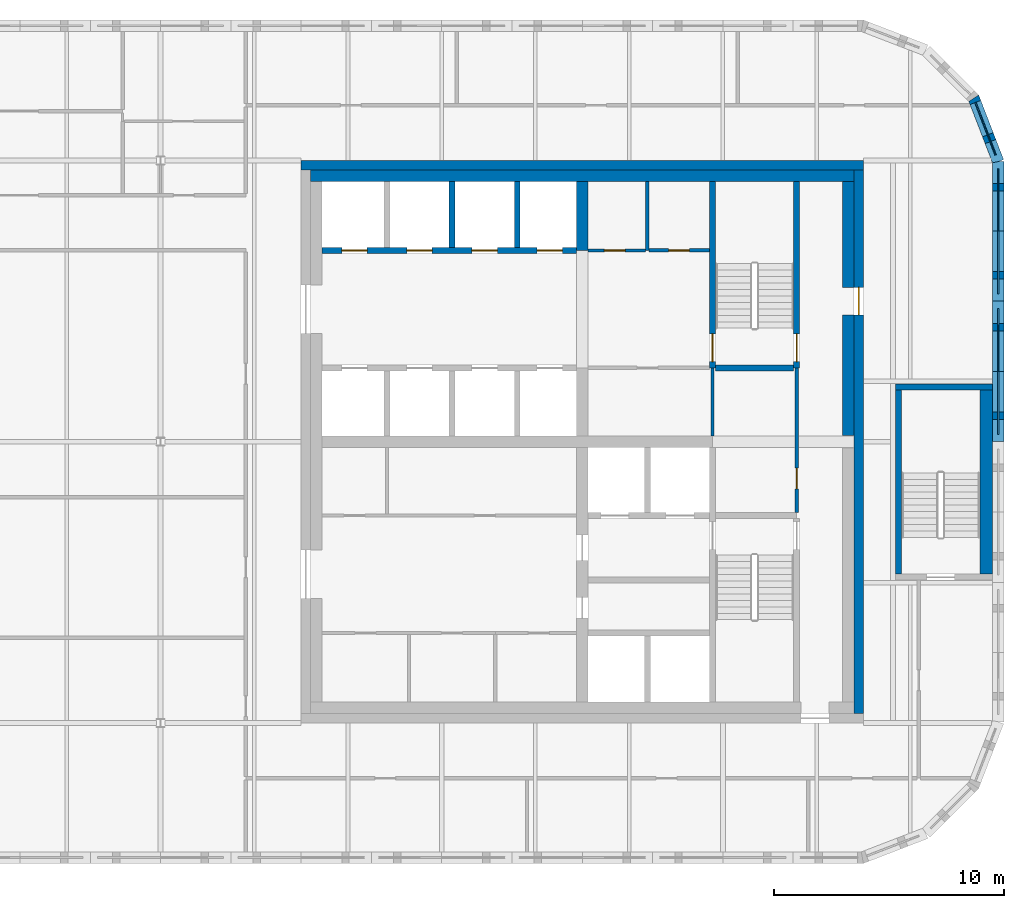
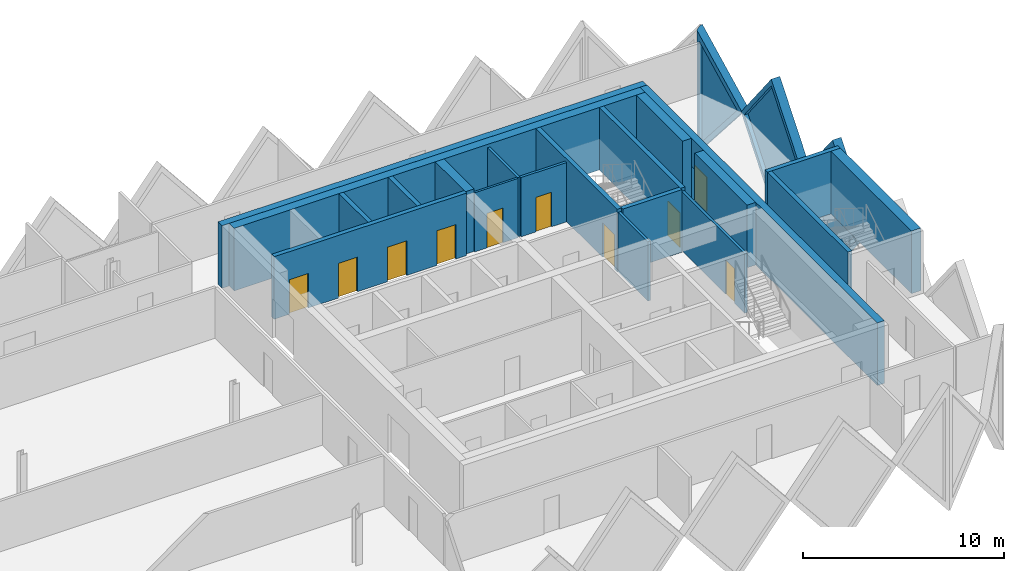
# One storey, part 7 of 10: 23 walls, 10 doors, 3 plates, 13 openings.
"""IFC4 building model written with IfcOpenShell, lengths in metres."""

from ifc_helpers import new_model, si_unit, direction, frame, frame_2d, origin, place, context, subcontext, project, spatial, polyline, rectangle, outline, extrude, faceted_brep, source, transform, mapped, material, layer, layer_set, type_object, element, fill, save


model = new_model("IFC4")

# Units and contexts
model_context = context("Model", 3, precision=1e-05, world=origin(), true_north=direction((0.0, 1.0)))
body_context = subcontext(model_context, "Body", "Model", "MODEL_VIEW")
ifc_project = project(units=[si_unit("LENGTHUNIT", "METRE"), si_unit("AREAUNIT", "SQUARE_METRE"), si_unit("VOLUMEUNIT", "CUBIC_METRE"), si_unit("PLANEANGLEUNIT", "RADIAN"), si_unit("MASSUNIT", "GRAM", prefix="KILO")], contexts=[model_context])

# Site, building, storey
site_placement = place(None, origin())
site = spatial("IfcSite", under=ifc_project, at=site_placement, CompositionType="ELEMENT")
building_placement = place(site_placement, origin())
building = spatial("IfcBuilding", under=site, at=building_placement, Name="Tessera Gate Towers", CompositionType="ELEMENT")
storey_placement = place(building_placement, frame((0.0, 0.0, 244.5)))
storey = spatial("IfcBuildingStorey", under=building, at=storey_placement, Name="L61", CompositionType="ELEMENT", Elevation=244.5)

# Wall, openings, doors
ifc_material_1 = material(Name="Concrete C40/50", Category="concrete")
ifc_layer_1 = layer(ifc_material_1, 0.25)
ifc_layer_set_1 = layer_set([ifc_layer_1], Name="CORE ENCLOSURE WALL 250")
wall_type_1 = type_object("IfcWallType", Name="CORE ENCLOSURE WALL 250", PredefinedType="SOLIDWALL", material=ifc_layer_set_1)
wall_1_placement = place(storey_placement, frame((42.449951171875, 44.89990234375, 0.0), z_axis=(0.0, 0.0, 1.0), x_axis=(-1.0, 0.0, 0.0)))
wall_1 = element("IfcWall", 1, at=wall_1_placement, inside=storey, type_object=wall_type_1, Name="L61 shaft and stair enclosure wall", PredefinedType="SOLIDWALL", context=body_context, shape_type="SweptSolid", body=[
    extrude(rectangle(XDim=11.050048828125, YDim=0.25, at=frame_2d((5.52490234375, 0.0))), origin(), (0.0, 0.0, 1.0), 3.800048828125),
])
shared_shape_1 = source(origin(), body_context, "Body", "SweptSolid", [
    extrude(rectangle(XDim=1.10009765625, YDim=2.10009765625, at=frame_2d((0.550048828125, 1.050048828125))), frame((0.0, 0.135009765625, 0.0), z_axis=(0.0, -1.0, 0.0), x_axis=(1.0, 0.0, 0.0)), (0.0, 0.0, 1.0), 0.27001953125),
])
opening_1_placement = place(wall_1_placement, frame((9.08740234375, 0.0, 0.0)))
opening_1 = element("IfcOpeningElement", 2, at=opening_1_placement, cuts=wall_1, Name="Opening LD-HR5", PredefinedType="OPENING", context=body_context, shape_type="MappedRepresentation", body=[
    mapped(shared_shape_1, transform((0.0, 0.0, 0.0), scale=1.0)),
])
opening_2_placement = place(wall_1_placement, frame((6.262451171875, 0.0, 0.0)))
opening_2 = element("IfcOpeningElement", 3, at=opening_2_placement, cuts=wall_1, Name="Opening LD-HR6", PredefinedType="OPENING", context=body_context, shape_type="MappedRepresentation", body=[
    mapped(shared_shape_1, transform((0.0, 0.0, 0.0), scale=1.0)),
])
opening_3_placement = place(wall_1_placement, frame((3.4375, 0.0, 0.0)))
opening_3 = element("IfcOpeningElement", 4, at=opening_3_placement, cuts=wall_1, Name="Opening LD-HR7", PredefinedType="OPENING", context=body_context, shape_type="MappedRepresentation", body=[
    mapped(shared_shape_1, transform((0.0, 0.0, 0.0), scale=1.0)),
])
opening_4_placement = place(wall_1_placement, frame((0.612548828125, 0.0, 0.0)))
opening_4 = element("IfcOpeningElement", 5, at=opening_4_placement, cuts=wall_1, Name="Opening LD-HR8", PredefinedType="OPENING", context=body_context, shape_type="MappedRepresentation", body=[
    mapped(shared_shape_1, transform((0.0, 0.0, 0.0), scale=1.0)),
])
ifc_material_2 = material(Name="Stainless steel", Category="steel")
door_type_1 = type_object("IfcDoorType", Name="CORE DOOR LD 1100x2100", OperationType="DOUBLE_DOOR_SLIDING", PredefinedType="DOOR", material=ifc_material_2)
shared_shape_2 = source(origin(), body_context, "Body", "SweptSolid", [
    extrude(rectangle(XDim=1.10009765625, YDim=2.10009765625, at=frame_2d((0.550048828125, 1.050048828125))), frame((0.0, 0.02490234375, 0.0), z_axis=(0.0, -1.0, 0.0), x_axis=(1.0, 0.0, 0.0)), (0.0, 0.0, 1.0), 0.050048828125),
])
door_1_placement = place(opening_1_placement, origin())
door_1 = element("IfcDoor", 6, at=door_1_placement, inside=storey, type_object=door_type_1, Name="Landing door HR5 L61", OperationType="DOUBLE_DOOR_SLIDING", OverallHeight=2.10009765625, OverallWidth=1.10009765625, PredefinedType="DOOR", context=body_context, shape_type="MappedRepresentation", body=[
    mapped(shared_shape_2, transform((0.0, 0.0, 0.0), scale=1.0)),
])
fill(opening_1, door_1)
door_2_placement = place(opening_2_placement, origin())
door_2 = element("IfcDoor", 7, at=door_2_placement, inside=storey, type_object=door_type_1, Name="Landing door HR6 L61", OperationType="DOUBLE_DOOR_SLIDING", OverallHeight=2.10009765625, OverallWidth=1.10009765625, PredefinedType="DOOR", context=body_context, shape_type="MappedRepresentation", body=[
    mapped(shared_shape_2, transform((0.0, 0.0, 0.0), scale=1.0)),
])
fill(opening_2, door_2)
door_3_placement = place(opening_3_placement, origin())
door_3 = element("IfcDoor", 8, at=door_3_placement, inside=storey, type_object=door_type_1, Name="Landing door HR7 L61", OperationType="DOUBLE_DOOR_SLIDING", OverallHeight=2.10009765625, OverallWidth=1.10009765625, PredefinedType="DOOR", context=body_context, shape_type="MappedRepresentation", body=[
    mapped(shared_shape_2, transform((0.0, 0.0, 0.0), scale=1.0)),
])
fill(opening_3, door_3)
door_4_placement = place(opening_4_placement, origin())
door_4 = element("IfcDoor", 9, at=door_4_placement, inside=storey, type_object=door_type_1, Name="Landing door HR8 L61", OperationType="DOUBLE_DOOR_SLIDING", OverallHeight=2.10009765625, OverallWidth=1.10009765625, PredefinedType="DOOR", context=body_context, shape_type="MappedRepresentation", body=[
    mapped(shared_shape_2, transform((0.0, 0.0, 0.0), scale=1.0)),
])
fill(opening_4, door_4)

# Wall, opening, door
wall_2_placement = place(storey_placement, frame((48.35009765625, 47.89990234375, 0.0), z_axis=(0.0, 0.0, 1.0), x_axis=(0.0, -1.0, 0.0)))
wall_2 = element("IfcWall", 10, at=wall_2_placement, inside=storey, type_object=wall_type_1, Name="L61 shaft and stair enclosure wall", PredefinedType="SOLIDWALL", context=body_context, shape_type="SweptSolid", body=[
    extrude(rectangle(XDim=8.099853515625, YDim=0.25, at=frame_2d((4.0498046875, 0.0))), origin(), (0.0, 0.0, 1.0), 3.800048828125),
])
shared_shape_3 = source(origin(), body_context, "Body", "SweptSolid", [
    extrude(rectangle(XDim=1.199951171875, YDim=2.10009765625, at=frame_2d((0.60009765625, 1.050048828125))), frame((0.0, 0.135009765625, 0.0), z_axis=(0.0, -1.0, 0.0), x_axis=(1.0, 0.0, 0.0)), (0.0, 0.0, 1.0), 0.27001953125),
])
opening_5_placement = place(wall_2_placement, frame((6.625, 0.0, 0.0)))
opening_5 = element("IfcOpeningElement", 11, at=opening_5_placement, cuts=wall_2, Name="Opening SD-ST2-1", PredefinedType="OPENING", context=body_context, shape_type="MappedRepresentation", body=[
    mapped(shared_shape_3, transform((0.0, 0.0, 0.0), scale=1.0)),
])
ifc_material_3 = material(Name="Hollow steel fire door", Category="steel")
door_type_2 = type_object("IfcDoorType", Name="CORE DOOR SD 1200x2100", OperationType="NOTDEFINED", PredefinedType="DOOR", material=ifc_material_3)
shared_shape_4 = source(origin(), body_context, "Body", "SweptSolid", [
    extrude(rectangle(XDim=1.199951171875, YDim=2.10009765625, at=frame_2d((0.60009765625, 1.050048828125))), frame((0.0, 0.02490234375, 0.0), z_axis=(0.0, -1.0, 0.0), x_axis=(1.0, 0.0, 0.0)), (0.0, 0.0, 1.0), 0.050048828125),
])
door_5_placement = place(opening_5_placement, origin())
door_5 = element("IfcDoor", 12, at=door_5_placement, inside=storey, type_object=door_type_2, Name="Stair door", OperationType="SINGLE_SWING_RIGHT", OverallHeight=2.10009765625, OverallWidth=1.199951171875, PredefinedType="DOOR", context=body_context, shape_type="MappedRepresentation", body=[
    mapped(shared_shape_4, transform((0.0, 0.0, 0.0), scale=1.0)),
])
fill(opening_5, door_5)

wall_3_placement = place(storey_placement, frame((52.0, 39.800048828125, 0.0), z_axis=(0.0, 0.0, 1.0), x_axis=(0.0, 1.0, 0.0)))
wall_3 = element("IfcWall", 13, at=wall_3_placement, inside=storey, type_object=wall_type_1, Name="L61 shaft and stair enclosure wall", PredefinedType="SOLIDWALL", context=body_context, shape_type="SweptSolid", body=[
    extrude(rectangle(XDim=8.099853515625, YDim=0.25, at=frame_2d((4.0498046875, 0.0))), origin(), (0.0, 0.0, 1.0), 3.800048828125),
])
opening_6_placement = place(wall_3_placement, frame((0.27490234375, 0.0, 0.0)))
opening_6 = element("IfcOpeningElement", 14, at=opening_6_placement, cuts=wall_3, Name="Opening SD-ST2-2", PredefinedType="OPENING", context=body_context, shape_type="MappedRepresentation", body=[
    mapped(shared_shape_3, transform((0.0, 0.0, 0.0), scale=1.0)),
])
door_6_placement = place(opening_6_placement, origin())
door_6 = element("IfcDoor", 15, at=door_6_placement, inside=storey, type_object=door_type_2, Name="Stair door", OperationType="SINGLE_SWING_LEFT", OverallHeight=2.10009765625, OverallWidth=1.199951171875, PredefinedType="DOOR", context=body_context, shape_type="MappedRepresentation", body=[
    mapped(shared_shape_4, transform((0.0, 0.0, 0.0), scale=1.0)),
])
fill(opening_6, door_6)

# Walls
wall_4_placement = place(storey_placement, frame((48.47509765625, 39.800048828125, 0.0), z_axis=(0.0, 0.0, 1.0), x_axis=(1.0, 0.0, 0.0)))
element("IfcWall", 16, at=wall_4_placement, inside=storey, type_object=wall_type_1, Name="L61 shaft and stair enclosure wall", PredefinedType="SOLIDWALL", context=body_context, shape_type="SweptSolid", body=[
    extrude(rectangle(XDim=3.39990234375, YDim=0.25, at=frame_2d((1.699951171875, 0.0))), origin(), (0.0, 0.0, 1.0), 3.800048828125),
])
for number, where, z_axis, x_axis, name in (
    (17, (37.050048828125, 45.02490234375, 0.0), (0.0, 0.0, 1.0), (0.0, 1.0, 0.0), "L61 shaft and stair enclosure wall"),
    (18, (39.875, 45.02490234375, 0.0), (0.0, 0.0, 1.0), (0.0, 1.0, 0.0), "L61 shaft and stair enclosure wall"),
):
    element("IfcWall", number, at=place(storey_placement, frame(where, z_axis=z_axis, x_axis=x_axis)), inside=storey, type_object=wall_type_1, Name=name, PredefinedType="SOLIDWALL", context=body_context, shape_type="SweptSolid", body=[
        extrude(rectangle(XDim=2.875, YDim=0.25, at=frame_2d((1.4375, 0.0))), origin(), (0.0, 0.0, 1.0), 3.800048828125),
    ])
wall_5_placement = place(storey_placement, frame((56.425048828125, 30.85009765625, 0.0), z_axis=(0.0, 0.0, 1.0), x_axis=(0.0, 1.0, 0.0)))
element("IfcWall", 19, at=wall_5_placement, inside=storey, type_object=wall_type_1, Name="L61 ST5 enclosure wall", PredefinedType="SOLIDWALL", context=body_context, shape_type="SweptSolid", body=[
    extrude(rectangle(XDim=8.0, YDim=0.25, at=frame_2d((4.0, 0.0))), origin(), (0.0, 0.0, 1.0), 3.800048828125),
])
wall_6_placement = place(storey_placement, frame((56.300048828125, 38.97509765625, 0.0), z_axis=(0.0, 0.0, 1.0), x_axis=(1.0, 0.0, 0.0)))
element("IfcWall", 20, at=wall_6_placement, inside=storey, type_object=wall_type_1, Name="L61 ST5 enclosure wall", PredefinedType="SOLIDWALL", context=body_context, shape_type="SweptSolid", body=[
    extrude(rectangle(XDim=4.199951171875, YDim=0.25, at=frame_2d((2.10009765625, 0.0))), origin(), (0.0, 0.0, 1.0), 3.800048828125),
])
ifc_material_4 = material(Name="Concrete C40/50", Category="concrete")
ifc_layer_2 = layer(ifc_material_4, 0.550048828125)
ifc_layer_set_2 = layer_set([ifc_layer_2], Name="CORE ENCLOSURE WALL 550")
wall_type_2 = type_object("IfcWallType", Name="CORE ENCLOSURE WALL 550", PredefinedType="SOLIDWALL", material=ifc_layer_set_2)
wall_7_placement = place(storey_placement, frame((60.22509765625, 38.85009765625, 0.0), z_axis=(0.0, 0.0, 1.0), x_axis=(0.0, -1.0, 0.0)))
element("IfcWall", 21, at=wall_7_placement, inside=storey, type_object=wall_type_2, Name="L61 ST5 enclosure wall", PredefinedType="SOLIDWALL", context=body_context, shape_type="SweptSolid", body=[
    extrude(rectangle(XDim=8.0, YDim=0.550048828125, at=frame_2d((4.0, 0.0))), origin(), (0.0, 0.0, 1.0), 3.800048828125),
])

# Wall, opening, door
ifc_material_5 = material(Name="Gypsum board on steel studs", Category="steel")
ifc_layer_3 = layer(ifc_material_5, 0.1201171875)
ifc_layer_set_3 = layer_set([ifc_layer_3], Name="CORE PARTITION 120")
wall_type_3 = type_object("IfcWallType", Name="CORE PARTITION 120", PredefinedType="PARTITIONING", material=ifc_layer_set_3)
wall_8_placement = place(storey_placement, frame((42.949951171875, 44.89990234375, 0.0), z_axis=(0.0, 0.0, 1.0), x_axis=(1.0, 0.0, 0.0)))
wall_8 = element("IfcWall", 22, at=wall_8_placement, inside=storey, type_object=wall_type_3, Name="L61 core partition", PredefinedType="PARTITIONING", context=body_context, shape_type="SweptSolid", body=[
    extrude(rectangle(XDim=2.5, YDim=0.1201171875, at=frame_2d((1.25, 0.0))), origin(), (0.0, 0.0, 1.0), 3.60009765625),
])
shared_shape_5 = source(origin(), body_context, "Body", "SweptSolid", [
    extrude(rectangle(XDim=0.89990234375, YDim=2.10009765625, at=frame_2d((0.449951171875, 1.050048828125))), frame((0.0, 0.070068359375, 0.0), z_axis=(0.0, -1.0, 0.0), x_axis=(1.0, 0.0, 0.0)), (0.0, 0.0, 1.0), 0.14013671875),
])
opening_7_placement = place(wall_8_placement, frame((0.71240234375, 0.0, 0.0)))
opening_7 = element("IfcOpeningElement", 23, at=opening_7_placement, cuts=wall_8, Name="Opening RD-T1-36-14", PredefinedType="OPENING", context=body_context, shape_type="MappedRepresentation", body=[
    mapped(shared_shape_5, transform((0.0, 0.0, 0.0), scale=1.0)),
])
ifc_material_6 = material(Name="Hollow steel fire door", Category="steel")
door_type_3 = type_object("IfcDoorType", Name="CORE DOOR RD 900x2100", OperationType="NOTDEFINED", PredefinedType="DOOR", material=ifc_material_6)
shared_shape_6 = source(origin(), body_context, "Body", "SweptSolid", [
    extrude(rectangle(XDim=0.89990234375, YDim=2.10009765625, at=frame_2d((0.449951171875, 1.050048828125))), frame((0.0, 0.02490234375, 0.0), z_axis=(0.0, -1.0, 0.0), x_axis=(1.0, 0.0, 0.0)), (0.0, 0.0, 1.0), 0.050048828125),
])
door_7_placement = place(opening_7_placement, origin())
door_7 = element("IfcDoor", 24, at=door_7_placement, inside=storey, type_object=door_type_3, Name="Core room door", OperationType="SINGLE_SWING_LEFT", OverallHeight=2.10009765625, OverallWidth=0.89990234375, PredefinedType="DOOR", context=body_context, shape_type="MappedRepresentation", body=[
    mapped(shared_shape_6, transform((0.0, 0.0, 0.0), scale=1.0)),
])
fill(opening_7, door_7)

# Wall
ifc_material_7 = material(Name="Concrete C40/50", Category="concrete")
ifc_layer_4 = layer(ifc_material_7, 0.39990234375)
ifc_layer_set_4 = layer_set([ifc_layer_4], Name="CORE SHEAR WALL 400 C40/50")
wall_type_4 = type_object("IfcWallType", Name="CORE SHEAR WALL 400 C40/50", PredefinedType="SHEAR", material=ifc_layer_set_4)
wall_9_placement = place(storey_placement, frame((30.5, 48.60009765625, 0.0), z_axis=(0.0, 0.0, 1.0), x_axis=(1.0, 0.0, 0.0)))
element("IfcWall", 25, at=wall_9_placement, inside=storey, type_object=wall_type_4, Name="Core wall N L61", PredefinedType="SHEAR", context=body_context, shape_type="SweptSolid", body=[
    extrude(rectangle(XDim=24.39990234375, YDim=0.39990234375, at=frame_2d((12.199951171875, 0.0))), origin(), (0.0, 0.0, 1.0), 3.800048828125),
])

# Wall, opening, door
wall_10_placement = place(storey_placement, frame((54.699951171875, 48.39990234375, 0.0), z_axis=(0.0, 0.0, 1.0), x_axis=(0.0, -1.0, 0.0)))
wall_10 = element("IfcWall", 26, at=wall_10_placement, inside=storey, type_object=wall_type_4, Name="Core wall E L61", PredefinedType="SHEAR", context=body_context, shape_type="SweptSolid", body=[
    extrude(rectangle(XDim=23.599853515625, YDim=0.39990234375, at=frame_2d((11.7998046875, 0.0))), origin(), (0.0, 0.0, 1.0), 3.800048828125),
])
shared_shape_7 = source(origin(), body_context, "Body", "SweptSolid", [
    extrude(rectangle(XDim=1.199951171875, YDim=2.10009765625, at=frame_2d((0.60009765625, 1.050048828125))), frame((0.0, 0.2099609375, 0.0), z_axis=(0.0, -1.0, 0.0), x_axis=(1.0, 0.0, 0.0)), (0.0, 0.0, 1.0), 0.419921875),
])
opening_8_placement = place(wall_10_placement, frame((5.10009765625, 0.0, 0.0)))
opening_8 = element("IfcOpeningElement", 27, at=opening_8_placement, cuts=wall_10, Name="Opening ED-T1-36-04", PredefinedType="OPENING", context=body_context, shape_type="MappedRepresentation", body=[
    mapped(shared_shape_7, transform((0.0, 0.0, 0.0), scale=1.0)),
])
ifc_material_8 = material(Name="Hollow steel fire door", Category="steel")
door_type_4 = type_object("IfcDoorType", Name="CORE DOOR ED 1200x2100", OperationType="NOTDEFINED", PredefinedType="DOOR", material=ifc_material_8)
door_8_placement = place(opening_8_placement, origin())
door_8 = element("IfcDoor", 28, at=door_8_placement, inside=storey, type_object=door_type_4, Name="Core exit door", OperationType="SINGLE_SWING_LEFT", OverallHeight=2.10009765625, OverallWidth=1.199951171875, PredefinedType="DOOR", context=body_context, shape_type="MappedRepresentation", body=[
    mapped(shared_shape_4, transform((0.0, 0.0, 0.0), scale=1.0)),
])
fill(opening_8, door_8)

# Walls
ifc_material_9 = material(Name="Concrete C40/50", Category="concrete")
ifc_layer_5 = layer(ifc_material_9, 0.5)
ifc_layer_set_5 = layer_set([ifc_layer_5], Name="CORE SPINE WALL 500 C40/50")
wall_type_5 = type_object("IfcWallType", Name="CORE SPINE WALL 500 C40/50", PredefinedType="SHEAR", material=ifc_layer_set_5)
wall_11_placement = place(storey_placement, frame((42.699951171875, 44.89990234375, 0.0), z_axis=(0.0, 0.0, 1.0), x_axis=(0.0, 1.0, 0.0)))
element("IfcWall", 29, at=wall_11_placement, inside=storey, type_object=wall_type_5, Name="Core wall spine L61", PredefinedType="SHEAR", context=body_context, shape_type="SweptSolid", body=[
    extrude(rectangle(XDim=3.0, YDim=0.5, at=frame_2d((1.5, 0.0))), origin(), (0.0, 0.0, 1.0), 3.800048828125),
])
ifc_material_10 = material(Name="Concrete C40/50", Category="concrete")
ifc_layer_6 = layer(ifc_material_10, 0.5)
ifc_layer_set_6 = layer_set([ifc_layer_6], Name="CORE WALL THICKENING 500")
wall_type_6 = type_object("IfcWallType", Name="CORE WALL THICKENING 500", PredefinedType="SOLIDWALL", material=ifc_layer_set_6)
wall_12_placement = place(storey_placement, frame((30.89990234375, 48.14990234375, 0.0), z_axis=(0.0, 0.0, 1.0), x_axis=(1.0, 0.0, 0.0)))
element("IfcWall", 30, at=wall_12_placement, inside=storey, type_object=wall_type_6, Name="Core wall thickening N L61", PredefinedType="SOLIDWALL", context=body_context, shape_type="SweptSolid", body=[
    extrude(rectangle(XDim=23.60009765625, YDim=0.5, at=frame_2d((11.800048828125, 0.0))), origin(), (0.0, 0.0, 1.0), 3.800048828125),
])
wall_13_placement = place(storey_placement, frame((54.25, 36.8798828125, 0.0), z_axis=(0.0, 0.0, 1.0), x_axis=(0.0, 1.0, 0.0)))
element("IfcWall", 31, at=wall_13_placement, inside=storey, type_object=wall_type_6, Name="Core wall thickening E L61", PredefinedType="SOLIDWALL", context=body_context, shape_type="SweptSolid", body=[
    extrude(rectangle(XDim=5.22021484375, YDim=0.5, at=frame_2d((2.610107421875, 0.0))), origin(), (0.0, 0.0, 1.0), 3.800048828125),
])
wall_14_placement = place(storey_placement, frame((54.25, 43.300048828125, 0.0), z_axis=(0.0, 0.0, 1.0), x_axis=(0.0, 1.0, 0.0)))
element("IfcWall", 32, at=wall_14_placement, inside=storey, type_object=wall_type_6, Name="Core wall thickening E L61", PredefinedType="SOLIDWALL", context=body_context, shape_type="SweptSolid", body=[
    extrude(rectangle(XDim=4.599853515625, YDim=0.5, at=frame_2d((2.2998046875, 0.0))), origin(), (0.0, 0.0, 1.0), 3.800048828125),
])

# Wall, opening, door
ifc_material_11 = material(Name="Gypsum board on steel studs", Category="steel")
ifc_layer_7 = layer(ifc_material_11, 0.14990234375)
ifc_layer_set_7 = layer_set([ifc_layer_7], Name="SERVICE ROOM WALL 150")
wall_type_7 = type_object("IfcWallType", Name="SERVICE ROOM WALL 150", PredefinedType="PARTITIONING", material=ifc_layer_set_7)
wall_15_placement = place(storey_placement, frame((52.0, 33.52490234375, 0.0), z_axis=(0.0, 0.0, 1.0), x_axis=(0.0, 1.0, 0.0)))
wall_15 = element("IfcWall", 33, at=wall_15_placement, inside=storey, type_object=wall_type_7, Name="L61 service room wall", PredefinedType="PARTITIONING", context=body_context, shape_type="SweptSolid", body=[
    extrude(rectangle(XDim=6.275146484375, YDim=0.14990234375, at=frame_2d((3.1376953125, 0.0))), origin(), (0.0, 0.0, 1.0), 3.60009765625),
])
shared_shape_8 = source(origin(), body_context, "Body", "SweptSolid", [
    extrude(rectangle(XDim=0.89990234375, YDim=2.10009765625, at=frame_2d((0.449951171875, 1.050048828125))), frame((0.0, 0.0849609375, 0.0), z_axis=(0.0, -1.0, 0.0), x_axis=(1.0, 0.0, 0.0)), (0.0, 0.0, 1.0), 0.169921875),
])
opening_9_placement = place(wall_15_placement, frame((1.02490234375, 0.0, 0.0)))
opening_9 = element("IfcOpeningElement", 34, at=opening_9_placement, cuts=wall_15, Name="Opening RD-T1-36-11", PredefinedType="OPENING", context=body_context, shape_type="MappedRepresentation", body=[
    mapped(shared_shape_8, transform((0.0, 0.0, 0.0), scale=1.0)),
])
door_9_placement = place(opening_9_placement, origin())
door_9 = element("IfcDoor", 35, at=door_9_placement, inside=storey, type_object=door_type_3, Name="Core room door", OperationType="SINGLE_SWING_LEFT", OverallHeight=2.10009765625, OverallWidth=0.89990234375, PredefinedType="DOOR", context=body_context, shape_type="MappedRepresentation", body=[
    mapped(shared_shape_6, transform((0.0, 0.0, 0.0), scale=1.0)),
])
fill(opening_9, door_9)

# Walls
wall_16_placement = place(storey_placement, frame((48.35009765625, 36.85009765625, 0.0), z_axis=(0.0, 0.0, 1.0), x_axis=(0.0, 1.0, 0.0)))
element("IfcWall", 36, at=wall_16_placement, inside=storey, type_object=wall_type_7, Name="L61 service room wall", PredefinedType="PARTITIONING", context=body_context, shape_type="SweptSolid", body=[
    extrude(rectangle(XDim=2.949951171875, YDim=0.14990234375, at=frame_2d((1.47509765625, 0.0))), origin(), (0.0, 0.0, 1.0), 3.60009765625),
])
wall_17_placement = place(storey_placement, frame((45.52490234375, 44.89990234375, 0.0), z_axis=(0.0, 0.0, 1.0), x_axis=(0.0, 1.0, 0.0)))
element("IfcWall", 37, at=wall_17_placement, inside=storey, type_object=wall_type_7, Name="L61 service room wall", PredefinedType="PARTITIONING", context=body_context, shape_type="SweptSolid", body=[
    extrude(rectangle(XDim=3.0, YDim=0.14990234375, at=frame_2d((1.5, 0.0))), origin(), (0.0, 0.0, 1.0), 3.60009765625),
])

# Wall, opening, door
wall_18_placement = place(storey_placement, frame((45.60009765625, 44.89990234375, 0.0), z_axis=(0.0, 0.0, 1.0), x_axis=(1.0, 0.0, 0.0)))
wall_18 = element("IfcWall", 38, at=wall_18_placement, inside=storey, type_object=wall_type_7, Name="L61 service room wall", PredefinedType="PARTITIONING", context=body_context, shape_type="SweptSolid", body=[
    extrude(rectangle(XDim=2.625, YDim=0.14990234375, at=frame_2d((1.3125, 0.0))), origin(), (0.0, 0.0, 1.0), 3.60009765625),
])
opening_10_placement = place(wall_18_placement, frame((0.85009765625, 0.0, 0.0)))
opening_10 = element("IfcOpeningElement", 39, at=opening_10_placement, cuts=wall_18, Name="Opening RD-T1-36-15", PredefinedType="OPENING", context=body_context, shape_type="MappedRepresentation", body=[
    mapped(shared_shape_8, transform((0.0, 0.0, 0.0), scale=1.0)),
])
door_10_placement = place(opening_10_placement, origin())
door_10 = element("IfcDoor", 40, at=door_10_placement, inside=storey, type_object=door_type_3, Name="Core room door", OperationType="SINGLE_SWING_LEFT", OverallHeight=2.10009765625, OverallWidth=0.89990234375, PredefinedType="DOOR", context=body_context, shape_type="MappedRepresentation", body=[
    mapped(shared_shape_6, transform((0.0, 0.0, 0.0), scale=1.0)),
])
fill(opening_10, door_10)

# Wall, opening, plate
ifc_material_12 = material(Name="Precast concrete C60/75 white", Category="concrete")
ifc_layer_8 = layer(ifc_material_12, 0.5)
ifc_layer_set_8 = layer_set([ifc_layer_8], Name="TS1 tessera")
wall_type_8 = type_object("IfcWallType", Name="TS1 tessera", PredefinedType="SOLIDWALL", material=ifc_layer_set_8)
shared_shape_9 = source(origin(), body_context, "Body", "Brep", [
    faceted_brep([(3.050048828125, -0.25, 0.0), (6.099853515625, -0.25, 3.7998046875), (6.099853515625, -0.25, 3.80029296875), (3.050048828125, -0.25, 7.60009765625), (0.0, -0.25, 3.800048828125), (0.0, 0.25, 3.800048828125), (3.050048828125, 0.25, 7.60009765625), (6.099853515625, 0.25, 3.80029296875), (6.099853515625, 0.25, 3.7998046875), (3.050048828125, 0.25, 0.0)], [[[0, 1, 2, 3, 4]], [[5, 6, 7, 8, 9]], [[9, 8, 1, 0]], [[7, 6, 3, 2]], [[6, 5, 4, 3]], [[5, 9, 0, 4]], [[1, 8, 7, 2]]]),
])
wall_19_placement = place(storey_placement, frame((60.75, 36.60009765625, -3.800048828125), z_axis=(0.0, 0.0, 1.0), x_axis=(0.0, 1.0, 0.0)))
wall_19 = element("IfcWall", 41, at=wall_19_placement, inside=storey, type_object=wall_type_8, Name="Precast tessera T1 TS1-1066", PredefinedType="SOLIDWALL", context=body_context, shape_type="MappedRepresentation", body=[
    mapped(shared_shape_9, transform((0.0, 0.0, 0.0), scale=1.0)),
])
shared_shape_10 = source(origin(), body_context, "Body", "SweptSolid", [
    extrude(outline(polyline([(3.050048828125, 0.3994140625), (5.779541015625, 3.800048828125), (3.050048828125, 7.20068359375), (0.320556640625, 3.800048828125), (3.050048828125, 0.3994140625)])), frame((0.0, 0.260009765625, 0.0), z_axis=(0.0, -1.0, 0.0), x_axis=(1.0, 0.0, 0.0)), (0.0, 0.0, 1.0), 0.52001953125),
])
opening_11_placement = place(wall_19_placement, origin())
opening_11 = element("IfcOpeningElement", 42, at=opening_11_placement, cuts=wall_19, Name="Opening T1-PL2-2172", PredefinedType="OPENING", context=body_context, shape_type="MappedRepresentation", body=[
    mapped(shared_shape_10, transform((0.0, 0.0, 0.0), scale=1.0)),
])
ifc_material_13 = material(Name="Low-e laminated glass", Category="glass")
ifc_layer_9 = layer(ifc_material_13, 0.06005859375)
ifc_layer_set_9 = layer_set([ifc_layer_9], Name="PL2 rhombic pane")
plate_type = type_object("IfcPlateType", Name="PL2 rhombic pane", PredefinedType="SHEET", material=ifc_layer_set_9)
shared_shape_11 = source(origin(), body_context, "Body", "SweptSolid", [
    extrude(outline(polyline([(3.050048828125, 0.3994140625), (5.779541015625, 3.800048828125), (3.050048828125, 7.20068359375), (0.320556640625, 3.800048828125), (3.050048828125, 0.3994140625)])), frame((0.0, 0.030029296875, 0.0), z_axis=(0.0, -1.0, 0.0), x_axis=(1.0, 0.0, 0.0)), (0.0, 0.0, 1.0), 0.06005859375),
])
plate_1_placement = place(opening_11_placement, origin())
plate_1 = element("IfcPlate", 43, at=plate_1_placement, inside=storey, type_object=plate_type, Name="Glass pane T1 PL2-2172", PredefinedType="SHEET", context=body_context, shape_type="MappedRepresentation", body=[
    mapped(shared_shape_11, transform((0.0, 0.0, 0.0), scale=1.0)),
])
fill(opening_11, plate_1)

shared_shape_12 = source(origin(), body_context, "Body", "Brep", [
    faceted_brep([(3.050048828125, -0.25, 0.0), (6.053466796875, -0.25, 3.800048828125), (3.050048828125, -0.25, 7.60009765625), (0.0, -0.25, 3.800048828125), (0.0, 0.25, 3.800048828125), (3.050048828125, 0.25, 7.60009765625), (6.0068359375, 0.25, 3.85888671875), (6.0068359375, 0.25, 3.7412109375), (3.050048828125, 0.25, 0.0), (6.053466796875, 0.0, 3.800048828125)], [[[0, 1, 2, 3]], [[4, 5, 6, 7, 8]], [[8, 7, 9, 1, 0]], [[6, 5, 2, 1, 9]], [[5, 4, 3, 2]], [[4, 8, 0, 3]], [[9, 7, 6]]]),
])
wall_20_placement = place(storey_placement, frame((60.75, 42.699951171875, -3.800048828125), z_axis=(0.0, 0.0, 1.0), x_axis=(0.0, 1.0, 0.0)))
wall_20 = element("IfcWall", 44, at=wall_20_placement, inside=storey, type_object=wall_type_8, Name="Precast tessera T1 TS1-1067", PredefinedType="SOLIDWALL", context=body_context, shape_type="MappedRepresentation", body=[
    mapped(shared_shape_12, transform((0.0, 0.0, 0.0), scale=1.0)),
])
shared_shape_13 = source(origin(), body_context, "Body", "SweptSolid", [
    extrude(outline(polyline([(3.048583984375, 0.4013671875), (5.73486328125, 3.800048828125), (3.048583984375, 7.19873046875), (0.320556640625, 3.800048828125), (3.048583984375, 0.4013671875)])), frame((0.0, 0.260009765625, 0.0), z_axis=(0.0, -1.0, 0.0), x_axis=(1.0, 0.0, 0.0)), (0.0, 0.0, 1.0), 0.52001953125),
])
opening_12_placement = place(wall_20_placement, origin())
opening_12 = element("IfcOpeningElement", 45, at=opening_12_placement, cuts=wall_20, Name="Opening T1-PL2-2173", PredefinedType="OPENING", context=body_context, shape_type="MappedRepresentation", body=[
    mapped(shared_shape_13, transform((0.0, 0.0, 0.0), scale=1.0)),
])
shared_shape_14 = source(origin(), body_context, "Body", "SweptSolid", [
    extrude(outline(polyline([(3.048583984375, 0.4013671875), (5.73486328125, 3.800048828125), (3.048583984375, 7.19873046875), (0.320556640625, 3.800048828125), (3.048583984375, 0.4013671875)])), frame((0.0, 0.030029296875, 0.0), z_axis=(0.0, -1.0, 0.0), x_axis=(1.0, 0.0, 0.0)), (0.0, 0.0, 1.0), 0.06005859375),
])
plate_2_placement = place(opening_12_placement, origin())
plate_2 = element("IfcPlate", 46, at=plate_2_placement, inside=storey, type_object=plate_type, Name="Glass pane T1 PL2-2173", PredefinedType="SHEET", context=body_context, shape_type="MappedRepresentation", body=[
    mapped(shared_shape_14, transform((0.0, 0.0, 0.0), scale=1.0)),
])
fill(opening_12, plate_2)

ifc_material_14 = material(Name="Precast concrete C60/75 white", Category="concrete")
ifc_layer_10 = layer(ifc_material_14, 0.5)
ifc_layer_set_10 = layer_set([ifc_layer_10], Name="TS3 corner tessera")
wall_type_9 = type_object("IfcWallType", Name="TS3 corner tessera", PredefinedType="SOLIDWALL", material=ifc_layer_set_10)
shared_shape_15 = source(origin(), body_context, "Body", "Brep", [
    faceted_brep([(2.950439453125, -0.25, 0.0), (3.00341796875, -0.25, 0.068359375), (3.00341796875, -0.25, 7.53173828125), (2.950439453125, -0.25, 7.60009765625), (0.0, -0.25, 3.800048828125), (0.046630859375, 0.25, 3.860107421875), (2.897705078125, 0.25, 7.531982421875), (2.897705078125, 0.25, 0.068115234375), (0.046630859375, 0.25, 3.739990234375), (2.950439453125, 0.00048828125, 0.0), (2.950439453125, 0.00048828125, 7.60009765625), (0.0, 0.0, 3.800048828125)], [[[0, 1, 2, 3, 4]], [[5, 6, 7, 8]], [[1, 0, 9]], [[10, 3, 2]], [[6, 5, 11, 4, 3, 10]], [[8, 7, 9, 0, 4, 11]], [[8, 11, 5]], [[1, 9, 7, 6, 10, 2]]]),
])
wall_21_placement = place(storey_placement, frame((60.75, 48.75341796875, -3.800048828125), z_axis=(0.0, 0.0, 1.0), x_axis=(-0.35992665181, 0.932980602862, 0.0)))
wall_21 = element("IfcWall", 47, at=wall_21_placement, inside=storey, type_object=wall_type_9, Name="Precast corner tessera T1 TS3-1407", PredefinedType="SOLIDWALL", context=body_context, shape_type="MappedRepresentation", body=[
    mapped(shared_shape_15, transform((0.0, 0.0, 0.0), scale=1.0)),
])
shared_shape_16 = source(origin(), body_context, "Body", "SweptSolid", [
    extrude(outline(polyline([(2.75048828125, 6.934814453125), (0.31640625, 3.800048828125), (2.75048828125, 0.665283203125), (2.75048828125, 6.934814453125)])), frame((0.0, 0.260009765625, 0.0), z_axis=(0.0, -1.0, 0.0), x_axis=(1.0, 0.0, 0.0)), (0.0, 0.0, 1.0), 0.52001953125),
])
opening_13_placement = place(wall_21_placement, origin())
opening_13 = element("IfcOpeningElement", 48, at=opening_13_placement, cuts=wall_21, Name="Opening T1-PL2-2174", PredefinedType="OPENING", context=body_context, shape_type="MappedRepresentation", body=[
    mapped(shared_shape_16, transform((0.0, 0.0, 0.0), scale=1.0)),
])
shared_shape_17 = source(origin(), body_context, "Body", "SweptSolid", [
    extrude(outline(polyline([(2.75048828125, 6.934814453125), (0.31640625, 3.800048828125), (2.75048828125, 0.665283203125), (2.75048828125, 6.934814453125)])), frame((0.0, 0.030029296875, 0.0), z_axis=(0.0, -1.0, 0.0), x_axis=(1.0, 0.0, 0.0)), (0.0, 0.0, 1.0), 0.06005859375),
])
plate_3_placement = place(opening_13_placement, origin())
plate_3 = element("IfcPlate", 49, at=plate_3_placement, inside=storey, type_object=plate_type, Name="Glass pane T1 PL2-2174", PredefinedType="SHEET", context=body_context, shape_type="MappedRepresentation", body=[
    mapped(shared_shape_17, transform((0.0, 0.0, 0.0), scale=1.0)),
])
fill(opening_13, plate_3)

save(model, "model.ifc")
